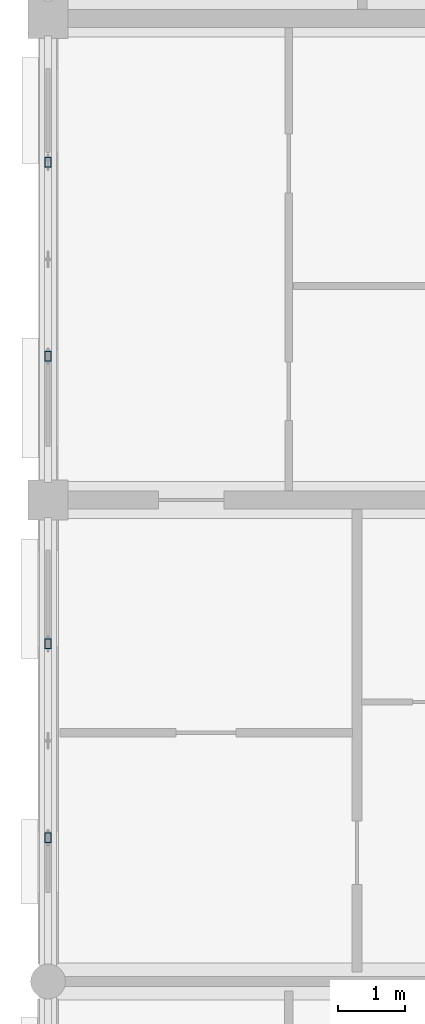
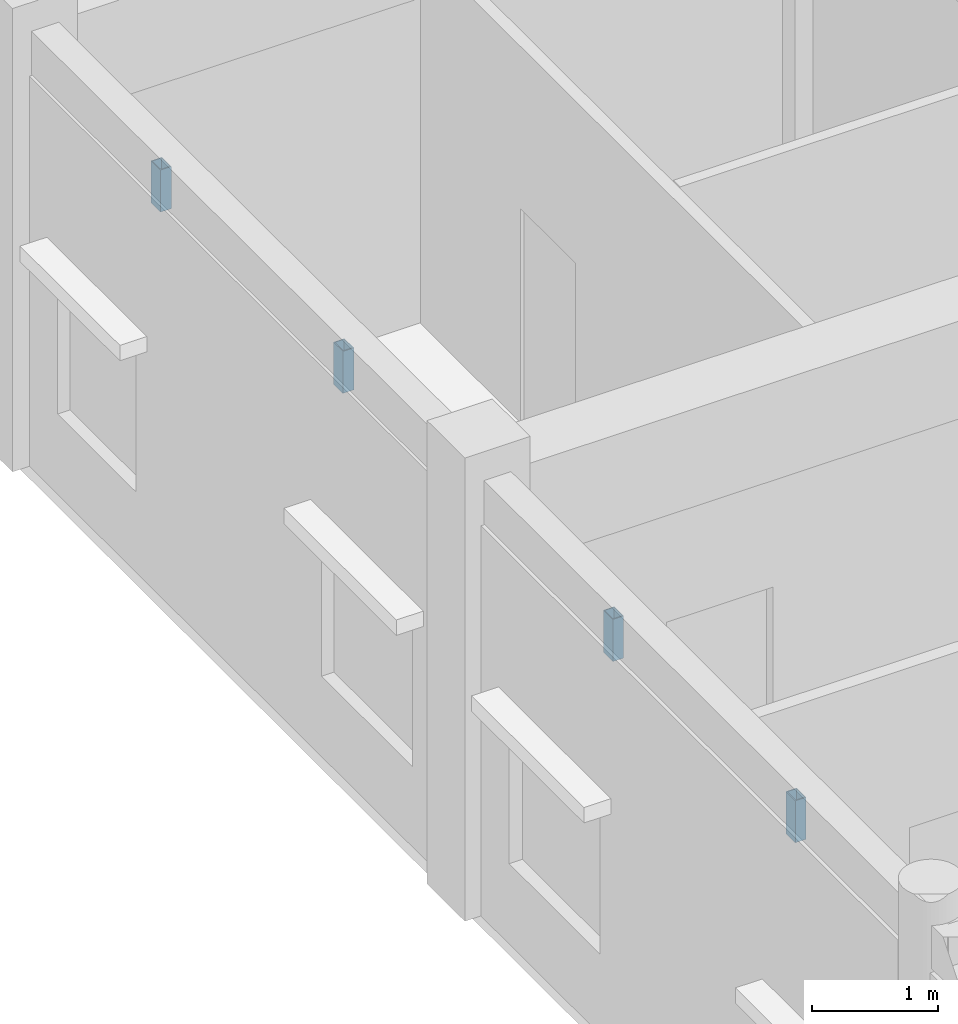
# One storey, part 32 of 138: 4 members.
"""IFC4 building model written with IfcOpenShell, lengths in metres."""

from ifc_helpers import new_model, si_unit, direction, frame, origin, origin_2d, place, context, subcontext, project, spatial, hollow_rectangle, extrude, material, material_profile, profile_set, type_object, element, save


model = new_model("IFC4")

# Units and contexts
model_context = context("Model", 3, precision=1e-05, world=origin(), true_north=direction((0.0, 1.0)))
body_context = subcontext(model_context, "Body", "Model", "MODEL_VIEW")
ifc_project = project(units=[si_unit("LENGTHUNIT", "METRE"), si_unit("AREAUNIT", "SQUARE_METRE"), si_unit("VOLUMEUNIT", "CUBIC_METRE"), si_unit("PLANEANGLEUNIT", "RADIAN"), si_unit("MASSUNIT", "GRAM", prefix="KILO"), si_unit("THERMODYNAMICTEMPERATUREUNIT", "KELVIN"), si_unit("POWERUNIT", "WATT")], contexts=[model_context])

# Site, building, storey
site_placement = place(None, origin())
site = spatial("IfcSite", under=ifc_project, at=site_placement, CompositionType="ELEMENT")
building_placement = place(site_placement, origin())
building = spatial("IfcBuilding", under=site, at=building_placement, Name="Tavuni Mirador Residences", CompositionType="ELEMENT")
storey_placement = place(building_placement, origin())
storey = spatial("IfcBuildingStorey", under=building, at=storey_placement, Name="L00", CompositionType="ELEMENT", Elevation=0.0)

# Members
ifc_material = material(Name="Structural steel S355", Category="steel")
ifc_material_profile = material_profile(ifc_material, hollow_rectangle(XDim=0.10009765625, YDim=0.14990234375, WallThickness=0.008056640625, at=origin_2d()), Name="RHS 150x100x8.0", Category="steel")
ifc_profile_set = profile_set([ifc_material_profile], Name="Structural steel S355")
member_type = type_object("IfcMemberType", Name="MT-BR-RHS150", PredefinedType="BRACE", material=ifc_profile_set)
for number, where, z_axis, x_axis, name in (
    (1, (3.60009765625, 23.748046875, 3.601318359375), (0.0, 0.0, 1.0), (1.0, 0.0, 0.0), "ARCH-BLKA-W-02-V1"),
    (2, (3.60009765625, 26.652099609375, 3.601318359375), (0.0, 0.0, 1.0), (1.0, 0.0, 0.0), "ARCH-BLKA-W-02-V2"),
    (3, (3.60009765625, 30.947998046875, 3.601318359375), (0.0, 0.0, 1.0), (1.0, 0.0, 0.0), "ARCH-BLKA-W-03-V1"),
    (4, (3.60009765625, 33.85205078125, 3.601318359375), (0.0, 0.0, 1.0), (1.0, 0.0, 0.0), "ARCH-BLKA-W-03-V2"),
):
    element("IfcMember", number, at=place(storey_placement, frame(where, z_axis=z_axis, x_axis=x_axis)), inside=storey, type_object=member_type, Name=name, PredefinedType="BRACE", context=body_context, shape_type="SweptSolid", body=[
        extrude(hollow_rectangle(XDim=0.10009765625, YDim=0.14990234375, WallThickness=0.008056640625, at=origin_2d()), origin(), (0.0, 0.0, 1.0), 0.40869140625),
    ])

save(model, "model.ifc")
